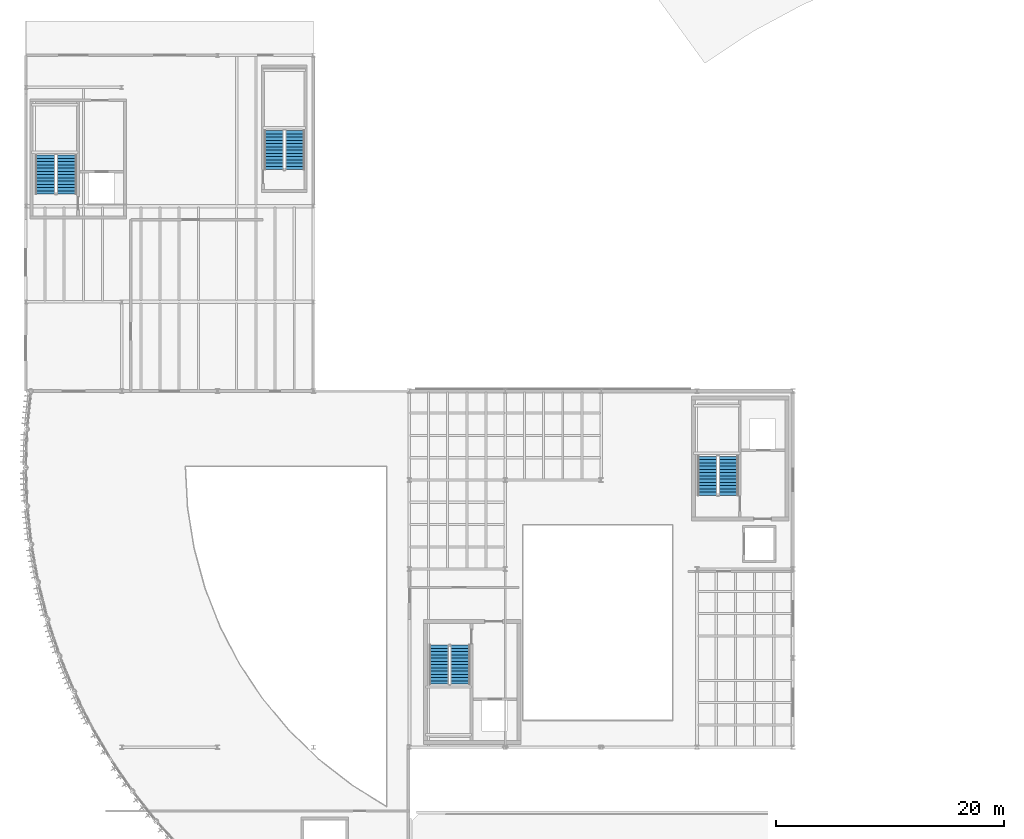
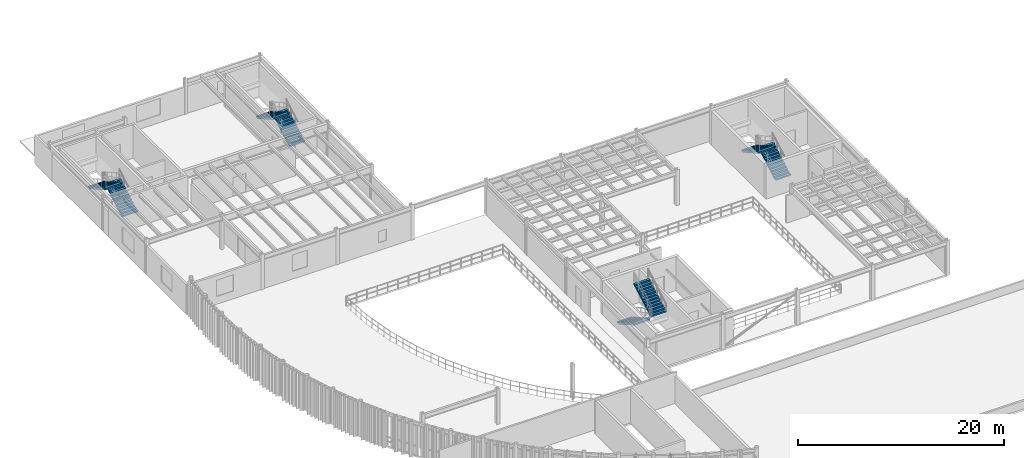
# One storey, part 44 of 54: 8 stair flights, 4 elements without a shape of their own.
"""IFC4 building model written with IfcOpenShell, lengths in metres."""

from ifc_helpers import new_model, si_unit, direction, frame, origin, place, context, subcontext, project, spatial, polyline, outline, extrude, material, type_object, element, aggregate, save


model = new_model("IFC4")

# Units and contexts
model_context = context("Model", 3, precision=1e-05, world=origin(), true_north=direction((0.0, 1.0)))
body_context = subcontext(model_context, "Body", "Model", "MODEL_VIEW")
ifc_project = project(units=[si_unit("LENGTHUNIT", "METRE"), si_unit("AREAUNIT", "SQUARE_METRE"), si_unit("VOLUMEUNIT", "CUBIC_METRE"), si_unit("PLANEANGLEUNIT", "RADIAN"), si_unit("MASSUNIT", "GRAM", prefix="KILO")], contexts=[model_context])

# Site, building, storey
site_placement = place(None, origin())
site = spatial("IfcSite", under=ifc_project, at=site_placement, CompositionType="ELEMENT")
building_placement = place(site_placement, origin())
building = spatial("IfcBuilding", under=site, at=building_placement, Name="Selat Folded Stagehouse", CompositionType="ELEMENT")
storey_placement = place(building_placement, frame((0.0, 0.0, 15.0)))
storey = spatial("IfcBuildingStorey", under=building, at=storey_placement, Name="L03", CompositionType="ELEMENT", Elevation=15.0)

# Stair, stair flights
ifc_material = material(Name="Concrete C40/50", Category="concrete")
stair_type_1 = type_object("IfcStairType", Name="STR-DOG-1680-26R", PredefinedType="HALF_TURN_STAIR", material=ifc_material)
stair_1_placement = place(storey_placement, origin())
stair_1 = element("IfcStair", 1, at=stair_1_placement, inside=storey, type_object=stair_type_1, Name="L03 Backstage Technical Stair ST-07", PredefinedType="HALF_TURN_STAIR")
stair_flight_type_1 = type_object("IfcStairFlightType", Name="STF-STR-1680-13R", PredefinedType="STRAIGHT", material=ifc_material)
stair_flight_1_placement = place(storey_placement, frame((23.580078125, 73.97998046875, 0.0), z_axis=(0.0, 0.0, 1.0), x_axis=(0.0, 1.0, 0.0)))
stair_flight_1 = element("IfcStairFlight", 2, at=stair_flight_1_placement, type_object=stair_flight_type_1, Name="ST-1680-26R flight 1", NumberOfRisers=13, NumberOfTreads=12, PredefinedType="STRAIGHT", RiserHeight=0.161538462, TreadLength=0.285, context=body_context, shape_type="SweptSolid", body=[
    extrude(outline(polyline([(0.0, 0.0), (0.0, 0.16162109375), (0.284912109375, 0.16162109375), (0.284912109375, 0.322998046875), (0.570068359375, 0.322998046875), (0.570068359375, 0.484619140625), (0.85498046875, 0.484619140625), (0.85498046875, 0.646240234375), (1.139892578125, 0.646240234375), (1.139892578125, 0.8076171875), (1.425048828125, 0.8076171875), (1.425048828125, 0.96923828125), (1.7099609375, 0.96923828125), (1.7099609375, 1.130859375), (1.9951171875, 1.130859375), (1.9951171875, 1.292236328125), (2.280029296875, 1.292236328125), (2.280029296875, 1.453857421875), (2.56494140625, 1.453857421875), (2.56494140625, 1.615478515625), (2.85009765625, 1.615478515625), (2.85009765625, 1.77685546875), (3.135009765625, 1.77685546875), (3.135009765625, 1.9384765625), (3.419921875, 1.9384765625), (3.419921875, 2.10009765625), (3.419921875, 1.754638671875), (0.32421875, 0.0), (0.0, 0.0)])), frame((0.0, 0.83984375, 0.0), z_axis=(0.0, -1.0, 0.0), x_axis=(1.0, 0.0, 0.0)), (0.0, 0.0, 1.0), 1.679931640625),
])
stair_flight_2_placement = place(storey_placement, frame((21.739990234375, 77.39990234375, 2.10009765625), z_axis=(0.0, 0.0, 1.0), x_axis=(0.0, -1.0, 0.0)))
stair_flight_2 = element("IfcStairFlight", 3, at=stair_flight_2_placement, type_object=stair_flight_type_1, Name="ST-1680-26R flight 2", NumberOfRisers=13, NumberOfTreads=12, PredefinedType="STRAIGHT", RiserHeight=0.161538462, TreadLength=0.285, context=body_context, shape_type="SweptSolid", body=[
    extrude(outline(polyline([(0.0, 0.0), (0.0, 0.16162109375), (0.284912109375, 0.16162109375), (0.284912109375, 0.322998046875), (0.570068359375, 0.322998046875), (0.570068359375, 0.484619140625), (0.85498046875, 0.484619140625), (0.85498046875, 0.646240234375), (1.139892578125, 0.646240234375), (1.139892578125, 0.8076171875), (1.425048828125, 0.8076171875), (1.425048828125, 0.96923828125), (1.7099609375, 0.96923828125), (1.7099609375, 1.130859375), (1.9951171875, 1.130859375), (1.9951171875, 1.292236328125), (2.280029296875, 1.292236328125), (2.280029296875, 1.453857421875), (2.56494140625, 1.453857421875), (2.56494140625, 1.615478515625), (2.85009765625, 1.615478515625), (2.85009765625, 1.77685546875), (3.135009765625, 1.77685546875), (3.135009765625, 1.9384765625), (3.419921875, 1.9384765625), (3.419921875, 2.10009765625), (3.419921875, 1.754638671875), (0.32421875, 0.0), (0.0, 0.0)])), frame((0.0, 0.83984375, 0.0), z_axis=(0.0, -1.0, 0.0), x_axis=(1.0, 0.0, 0.0)), (0.0, 0.0, 1.0), 1.679931640625),
])
aggregate(stair_1, [stair_flight_1, stair_flight_2])

stair_type_2 = type_object("IfcStairType", Name="STR-DOG-1700-26R", PredefinedType="HALF_TURN_STAIR", material=ifc_material)
stair_2_placement = place(storey_placement, origin())
stair_2 = element("IfcStair", 4, at=stair_2_placement, inside=storey, type_object=stair_type_2, Name="L03 Core 1 South-West Fire Core", PredefinedType="HALF_TURN_STAIR")
stair_flight_type_2 = type_object("IfcStairFlightType", Name="STF-STR-1700-13R", PredefinedType="STRAIGHT", material=ifc_material)
stair_flight_3_placement = place(storey_placement, frame((36.2099609375, 32.340087890625, 0.0), z_axis=(0.0, 0.0, 1.0), x_axis=(0.0, -1.0, 0.0)))
stair_flight_3 = element("IfcStairFlight", 5, at=stair_flight_3_placement, type_object=stair_flight_type_2, Name="ST-1700-26R flight 1", NumberOfRisers=13, NumberOfTreads=12, PredefinedType="STRAIGHT", RiserHeight=0.161538462, TreadLength=0.285, context=body_context, shape_type="SweptSolid", body=[
    extrude(outline(polyline([(0.0, 0.0), (0.0, 0.16162109375), (0.284912109375, 0.16162109375), (0.284912109375, 0.322998046875), (0.570068359375, 0.322998046875), (0.570068359375, 0.484619140625), (0.85498046875, 0.484619140625), (0.85498046875, 0.646240234375), (1.139892578125, 0.646240234375), (1.139892578125, 0.8076171875), (1.425048828125, 0.8076171875), (1.425048828125, 0.96923828125), (1.7099609375, 0.96923828125), (1.7099609375, 1.130859375), (1.9951171875, 1.130859375), (1.9951171875, 1.292236328125), (2.280029296875, 1.292236328125), (2.280029296875, 1.453857421875), (2.56494140625, 1.453857421875), (2.56494140625, 1.615478515625), (2.85009765625, 1.615478515625), (2.85009765625, 1.77685546875), (3.135009765625, 1.77685546875), (3.135009765625, 1.9384765625), (3.419921875, 1.9384765625), (3.419921875, 2.10009765625), (3.419921875, 1.754638671875), (0.32421875, 0.0), (0.0, 0.0)])), frame((0.0, 0.85009765625, 0.0), z_axis=(0.0, -1.0, 0.0), x_axis=(1.0, 0.0, 0.0)), (0.0, 0.0, 1.0), 1.699951171875),
])
stair_flight_4_placement = place(storey_placement, frame((38.070068359375, 28.919921875, 2.10009765625), z_axis=(0.0, 0.0, 1.0), x_axis=(0.0, 1.0, 0.0)))
stair_flight_4 = element("IfcStairFlight", 6, at=stair_flight_4_placement, type_object=stair_flight_type_2, Name="ST-1700-26R flight 2", NumberOfRisers=13, NumberOfTreads=12, PredefinedType="STRAIGHT", RiserHeight=0.161538462, TreadLength=0.285, context=body_context, shape_type="SweptSolid", body=[
    extrude(outline(polyline([(0.0, 0.0), (0.0, 0.16162109375), (0.284912109375, 0.16162109375), (0.284912109375, 0.322998046875), (0.570068359375, 0.322998046875), (0.570068359375, 0.484619140625), (0.85498046875, 0.484619140625), (0.85498046875, 0.646240234375), (1.139892578125, 0.646240234375), (1.139892578125, 0.8076171875), (1.425048828125, 0.8076171875), (1.425048828125, 0.96923828125), (1.7099609375, 0.96923828125), (1.7099609375, 1.130859375), (1.9951171875, 1.130859375), (1.9951171875, 1.292236328125), (2.280029296875, 1.292236328125), (2.280029296875, 1.453857421875), (2.56494140625, 1.453857421875), (2.56494140625, 1.615478515625), (2.85009765625, 1.615478515625), (2.85009765625, 1.77685546875), (3.135009765625, 1.77685546875), (3.135009765625, 1.9384765625), (3.419921875, 1.9384765625), (3.419921875, 2.10009765625), (3.419921875, 1.754638671875), (0.32421875, 0.0), (0.0, 0.0)])), frame((0.0, 0.85009765625, 0.0), z_axis=(0.0, -1.0, 0.0), x_axis=(1.0, 0.0, 0.0)), (0.0, 0.0, 1.0), 1.699951171875),
])
aggregate(stair_2, [stair_flight_3, stair_flight_4])

stair_3_placement = place(storey_placement, origin())
stair_3 = element("IfcStair", 7, at=stair_3_placement, inside=storey, type_object=stair_type_2, Name="L03 Core 2 North-East Stage Fire Core", PredefinedType="HALF_TURN_STAIR")
stair_flight_5_placement = place(storey_placement, frame((61.570068359375, 45.4599609375, 0.0), z_axis=(0.0, 0.0, 1.0), x_axis=(0.0, 1.0, 0.0)))
stair_flight_5 = element("IfcStairFlight", 8, at=stair_flight_5_placement, type_object=stair_flight_type_2, Name="ST-1700-26R flight 1", NumberOfRisers=13, NumberOfTreads=12, PredefinedType="STRAIGHT", RiserHeight=0.161538462, TreadLength=0.285, context=body_context, shape_type="SweptSolid", body=[
    extrude(outline(polyline([(0.0, 0.0), (0.0, 0.16162109375), (0.284912109375, 0.16162109375), (0.284912109375, 0.322998046875), (0.570068359375, 0.322998046875), (0.570068359375, 0.484619140625), (0.85498046875, 0.484619140625), (0.85498046875, 0.646240234375), (1.139892578125, 0.646240234375), (1.139892578125, 0.8076171875), (1.425048828125, 0.8076171875), (1.425048828125, 0.96923828125), (1.7099609375, 0.96923828125), (1.7099609375, 1.130859375), (1.9951171875, 1.130859375), (1.9951171875, 1.292236328125), (2.280029296875, 1.292236328125), (2.280029296875, 1.453857421875), (2.56494140625, 1.453857421875), (2.56494140625, 1.615478515625), (2.85009765625, 1.615478515625), (2.85009765625, 1.77685546875), (3.135009765625, 1.77685546875), (3.135009765625, 1.9384765625), (3.419921875, 1.9384765625), (3.419921875, 2.10009765625), (3.419921875, 1.754638671875), (0.32421875, 0.0), (0.0, 0.0)])), frame((0.0, 0.85009765625, 0.0), z_axis=(0.0, -1.0, 0.0), x_axis=(1.0, 0.0, 0.0)), (0.0, 0.0, 1.0), 1.699951171875),
])
stair_flight_6_placement = place(storey_placement, frame((59.7099609375, 48.8798828125, 2.10009765625), z_axis=(0.0, 0.0, 1.0), x_axis=(0.0, -1.0, 0.0)))
stair_flight_6 = element("IfcStairFlight", 9, at=stair_flight_6_placement, type_object=stair_flight_type_2, Name="ST-1700-26R flight 2", NumberOfRisers=13, NumberOfTreads=12, PredefinedType="STRAIGHT", RiserHeight=0.161538462, TreadLength=0.285, context=body_context, shape_type="SweptSolid", body=[
    extrude(outline(polyline([(0.0, 0.0), (0.0, 0.16162109375), (0.284912109375, 0.16162109375), (0.284912109375, 0.322998046875), (0.570068359375, 0.322998046875), (0.570068359375, 0.484619140625), (0.85498046875, 0.484619140625), (0.85498046875, 0.646240234375), (1.139892578125, 0.646240234375), (1.139892578125, 0.8076171875), (1.425048828125, 0.8076171875), (1.425048828125, 0.96923828125), (1.7099609375, 0.96923828125), (1.7099609375, 1.130859375), (1.9951171875, 1.130859375), (1.9951171875, 1.292236328125), (2.280029296875, 1.292236328125), (2.280029296875, 1.453857421875), (2.56494140625, 1.453857421875), (2.56494140625, 1.615478515625), (2.85009765625, 1.615478515625), (2.85009765625, 1.77685546875), (3.135009765625, 1.77685546875), (3.135009765625, 1.9384765625), (3.419921875, 1.9384765625), (3.419921875, 2.10009765625), (3.419921875, 1.754638671875), (0.32421875, 0.0), (0.0, 0.0)])), frame((0.0, 0.85009765625, 0.0), z_axis=(0.0, -1.0, 0.0), x_axis=(1.0, 0.0, 0.0)), (0.0, 0.0, 1.0), 1.699951171875),
])
aggregate(stair_3, [stair_flight_5, stair_flight_6])

stair_type_3 = type_object("IfcStairType", Name="STR-DOG-1720-26R", PredefinedType="HALF_TURN_STAIR", material=ifc_material)
stair_4_placement = place(storey_placement, origin())
stair_4 = element("IfcStair", 10, at=stair_4_placement, inside=storey, type_object=stair_type_3, Name="L03 Core 5 Black-Box West Core", PredefinedType="HALF_TURN_STAIR")
stair_flight_type_3 = type_object("IfcStairFlightType", Name="STF-STR-1720-13R", PredefinedType="STRAIGHT", material=ifc_material)
stair_flight_7_placement = place(storey_placement, frame((3.590087890625, 71.840087890625, 0.0), z_axis=(0.0, 0.0, 1.0), x_axis=(0.0, 1.0, 0.0)))
stair_flight_7 = element("IfcStairFlight", 11, at=stair_flight_7_placement, type_object=stair_flight_type_3, Name="ST-1720-26R flight 1", NumberOfRisers=13, NumberOfTreads=12, PredefinedType="STRAIGHT", RiserHeight=0.161538462, TreadLength=0.285, context=body_context, shape_type="SweptSolid", body=[
    extrude(outline(polyline([(0.0, 0.0), (0.0, 0.16162109375), (0.284912109375, 0.16162109375), (0.284912109375, 0.322998046875), (0.570068359375, 0.322998046875), (0.570068359375, 0.484619140625), (0.85498046875, 0.484619140625), (0.85498046875, 0.646240234375), (1.139892578125, 0.646240234375), (1.139892578125, 0.8076171875), (1.425048828125, 0.8076171875), (1.425048828125, 0.96923828125), (1.7099609375, 0.96923828125), (1.7099609375, 1.130859375), (1.9951171875, 1.130859375), (1.9951171875, 1.292236328125), (2.280029296875, 1.292236328125), (2.280029296875, 1.453857421875), (2.56494140625, 1.453857421875), (2.56494140625, 1.615478515625), (2.85009765625, 1.615478515625), (2.85009765625, 1.77685546875), (3.135009765625, 1.77685546875), (3.135009765625, 1.9384765625), (3.419921875, 1.9384765625), (3.419921875, 2.10009765625), (3.419921875, 1.754638671875), (0.32421875, 0.0), (0.0, 0.0)])), frame((0.0, 0.85986328125, 0.0), z_axis=(0.0, -1.0, 0.0), x_axis=(1.0, 0.0, 0.0)), (0.0, 0.0, 1.0), 1.719970703125),
])
stair_flight_8_placement = place(storey_placement, frame((1.7099609375, 75.260009765625, 2.10009765625), z_axis=(0.0, 0.0, 1.0), x_axis=(0.0, -1.0, 0.0)))
stair_flight_8 = element("IfcStairFlight", 12, at=stair_flight_8_placement, type_object=stair_flight_type_3, Name="ST-1720-26R flight 2", NumberOfRisers=13, NumberOfTreads=12, PredefinedType="STRAIGHT", RiserHeight=0.161538462, TreadLength=0.285, context=body_context, shape_type="SweptSolid", body=[
    extrude(outline(polyline([(0.0, 0.0), (0.0, 0.16162109375), (0.284912109375, 0.16162109375), (0.284912109375, 0.322998046875), (0.570068359375, 0.322998046875), (0.570068359375, 0.484619140625), (0.85498046875, 0.484619140625), (0.85498046875, 0.646240234375), (1.139892578125, 0.646240234375), (1.139892578125, 0.8076171875), (1.425048828125, 0.8076171875), (1.425048828125, 0.96923828125), (1.7099609375, 0.96923828125), (1.7099609375, 1.130859375), (1.9951171875, 1.130859375), (1.9951171875, 1.292236328125), (2.280029296875, 1.292236328125), (2.280029296875, 1.453857421875), (2.56494140625, 1.453857421875), (2.56494140625, 1.615478515625), (2.85009765625, 1.615478515625), (2.85009765625, 1.77685546875), (3.135009765625, 1.77685546875), (3.135009765625, 1.9384765625), (3.419921875, 1.9384765625), (3.419921875, 2.10009765625), (3.419921875, 1.754638671875), (0.32421875, 0.0), (0.0, 0.0)])), frame((0.0, 0.85986328125, 0.0), z_axis=(0.0, -1.0, 0.0), x_axis=(1.0, 0.0, 0.0)), (0.0, 0.0, 1.0), 1.719970703125),
])
aggregate(stair_4, [stair_flight_7, stair_flight_8])

save(model, "model.ifc")
